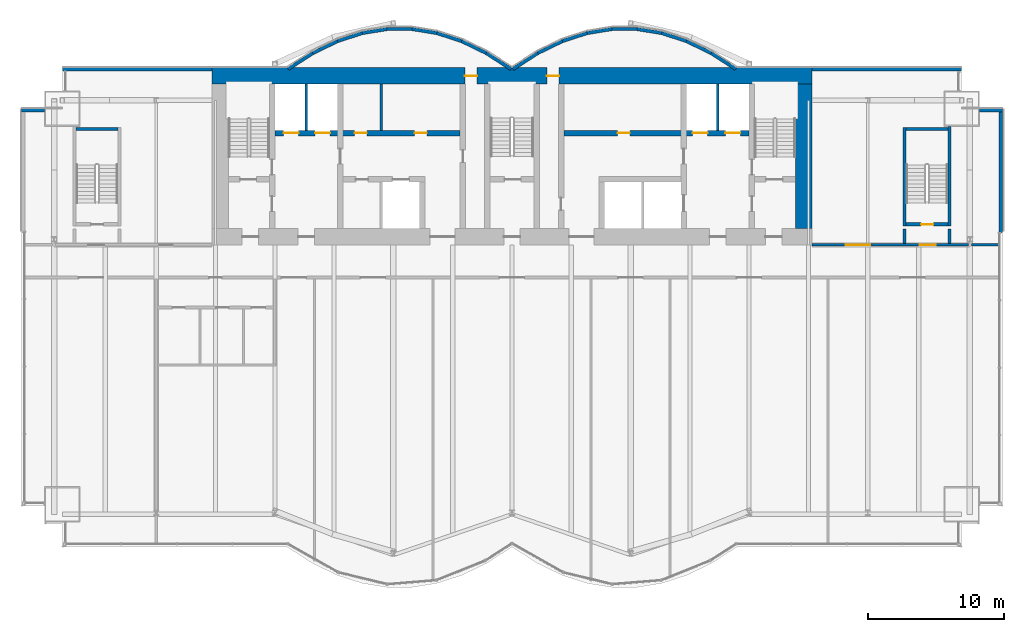
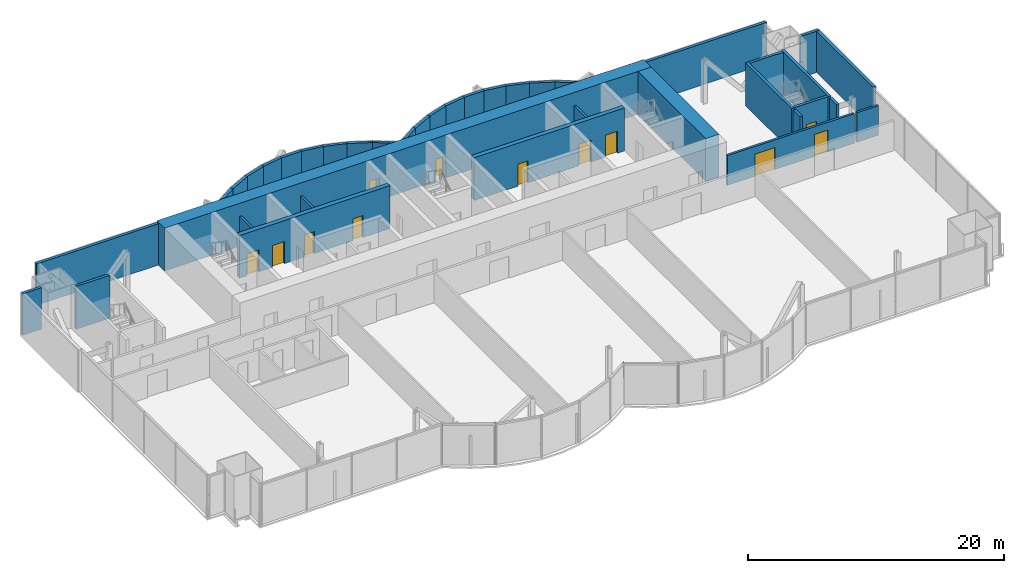
# One storey, part 17 of 21: 39 walls, 12 doors, 12 openings.
"""IFC4 building model written with IfcOpenShell, lengths in metres."""

from ifc_helpers import new_model, si_unit, direction, frame, frame_2d, origin, place, context, subcontext, project, spatial, rectangle, extrude, material, layer, layer_set, layer_usage, type_object, element, fill, save


model = new_model("IFC4")

# Units and contexts
model_context = context("Model", 3, precision=1e-05, world=origin(), true_north=direction((0.0, 1.0)))
body_context = subcontext(model_context, "Body", "Model", "MODEL_VIEW")
ifc_project = project(units=[si_unit("LENGTHUNIT", "METRE"), si_unit("AREAUNIT", "SQUARE_METRE"), si_unit("VOLUMEUNIT", "CUBIC_METRE"), si_unit("PLANEANGLEUNIT", "RADIAN"), si_unit("MASSUNIT", "GRAM", prefix="KILO")], contexts=[model_context])

# Site, building, storey
site_placement = place(None, origin())
site = spatial("IfcSite", under=ifc_project, at=site_placement, CompositionType="ELEMENT")
building_placement = place(site_placement, origin())
building = spatial("IfcBuilding", under=site, at=building_placement, Name="Bicima Exchange Tower", CompositionType="ELEMENT")
storey_placement = place(building_placement, frame((0.0, 0.0, 156.800048828125)))
storey = spatial("IfcBuildingStorey", under=building, at=storey_placement, Name="L34", CompositionType="ELEMENT", Elevation=156.800048828125)

# Walls
ifc_material_1 = material(Name="Gypsum board partition")
ifc_layer_1 = layer(ifc_material_1, 0.199951171875)
ifc_layer_set_1 = layer_set([ifc_layer_1], Name="Gypsum board partition")
wall_type_1 = type_object("IfcWallType", Name="Fire-rated gypsum partition 200 EI120", PredefinedType="PARTITIONING", material=ifc_layer_set_1)
for number, where, z_axis, x_axis, name in (
    (1, (-15.10009765625, -4.60009765625, 0.0), (0.0, 0.0, 1.0), (0.0, 1.0, 0.0), "partition wall 9"),
    (2, (15.10009765625, -4.60009765625, 0.0), (0.0, 0.0, 1.0), (0.0, 1.0, 0.0), "partition wall 21"),
):
    element("IfcWall", number, at=place(storey_placement, frame(where, z_axis=z_axis, x_axis=x_axis)), inside=storey, type_object=wall_type_1, Name=name, PredefinedType="PARTITIONING", context=body_context, shape_type="SweptSolid", body=[
        extrude(rectangle(XDim=3.400146484375, YDim=0.199951171875, at=frame_2d((1.7001953125, 0.0))), origin(), (0.0, 0.0, 1.0), 2.84033203125),
    ])

# Wall, openings, doors
ifc_layer_2 = layer(ifc_material_1, 0.199951171875)
ifc_layer_set_2 = layer_set([ifc_layer_2], Name="Gypsum board partition")
wall_type_2 = type_object("IfcWallType", Name="Fire-rated gypsum partition 200 EI60", PredefinedType="PARTITIONING", material=ifc_layer_set_2)
wall_1_placement = place(storey_placement, frame((22.0, -13.0, 0.0), z_axis=(0.0, 0.0, 1.0), x_axis=(1.0, 0.0, 0.0)))
wall_1 = element("IfcWall", 3, at=wall_1_placement, inside=storey, type_object=wall_type_2, Name="partition wall 6", PredefinedType="PARTITIONING", context=body_context, shape_type="SweptSolid", body=[
    extrude(rectangle(XDim=11.47998046875, YDim=0.199951171875, at=frame_2d((5.739990234375, 0.0))), origin(), (0.0, 0.0, 1.0), 2.84033203125),
])
opening_1_placement = place(wall_1_placement, frame((7.89990234375, 0.0, 0.0)))
opening_1 = element("IfcOpeningElement", 4, at=opening_1_placement, cuts=wall_1, Name="Opening L34-003", PredefinedType="OPENING", context=body_context, shape_type="SweptSolid", body=[
    extrude(rectangle(XDim=1.199951171875, YDim=2.10009765625, at=frame_2d((0.60009765625, 1.050048828125))), frame((0.0, 0.11181640625, 0.0), z_axis=(0.0, -1.0, 0.0), x_axis=(1.0, 0.0, 0.0)), (0.0, 0.0, 1.0), 0.223876953125),
])
opening_2_placement = place(wall_1_placement, frame((2.5, 0.0, 0.0)))
opening_2 = element("IfcOpeningElement", 5, at=opening_2_placement, cuts=wall_1, Name="Opening L34-006", PredefinedType="OPENING", context=body_context, shape_type="SweptSolid", body=[
    extrude(rectangle(XDim=1.800048828125, YDim=2.10009765625, at=frame_2d((0.89990234375, 1.050048828125))), frame((0.0, 0.11181640625, 0.0), z_axis=(0.0, -1.0, 0.0), x_axis=(1.0, 0.0, 0.0)), (0.0, 0.0, 1.0), 0.223876953125),
])
ifc_material_2 = material(Name="Steel fire door leaf", Category="steel")
door_type_1 = type_object("IfcDoorType", Name="Door 1200 swing FD30S", OperationType="SINGLE_SWING_LEFT", PredefinedType="DOOR", material=ifc_material_2)
door_1_placement = place(opening_1_placement, origin())
door_1 = element("IfcDoor", 6, at=door_1_placement, inside=storey, type_object=door_type_1, Name="Door", OperationType="SINGLE_SWING_RIGHT", OverallHeight=2.10009765625, OverallWidth=1.199951171875, PredefinedType="DOOR", context=body_context, shape_type="SweptSolid", body=[
    extrude(rectangle(XDim=1.199951171875, YDim=2.10009765625, at=frame_2d((0.60009765625, 1.050048828125))), frame((0.0, 0.02490234375, 0.0), z_axis=(0.0, -1.0, 0.0), x_axis=(1.0, 0.0, 0.0)), (0.0, 0.0, 1.0), 0.050048828125),
])
fill(opening_1, door_1)
door_type_2 = type_object("IfcDoorType", Name="Door 1800 double swing FD30S", OperationType="DOUBLE_DOOR_SINGLE_SWING", PredefinedType="DOOR", material=ifc_material_2)
door_2_placement = place(opening_2_placement, origin())
door_2 = element("IfcDoor", 7, at=door_2_placement, inside=storey, type_object=door_type_2, Name="Door", OperationType="SINGLE_SWING_LEFT", OverallHeight=2.10009765625, OverallWidth=1.800048828125, PredefinedType="DOOR", context=body_context, shape_type="SweptSolid", body=[
    extrude(rectangle(XDim=1.800048828125, YDim=2.10009765625, at=frame_2d((0.89990234375, 1.050048828125))), frame((0.0, 0.02490234375, 0.0), z_axis=(0.0, -1.0, 0.0), x_axis=(1.0, 0.0, 0.0)), (0.0, 0.0, 1.0), 0.050048828125),
])
fill(opening_2, door_2)

# Walls
wall_2_placement = place(storey_placement, frame((33.719970703125, -13.0, 0.0), z_axis=(0.0, 0.0, 1.0), x_axis=(1.0, 0.0, 0.0)))
element("IfcWall", 8, at=wall_2_placement, inside=storey, type_object=wall_type_2, Name="partition wall 7", PredefinedType="PARTITIONING", context=body_context, shape_type="SweptSolid", body=[
    extrude(rectangle(XDim=1.9599609375, YDim=0.199951171875, at=frame_2d((0.97998046875, 0.0))), origin(), (0.0, 0.0, 1.0), 2.84033203125),
])
wall_3_placement = place(storey_placement, frame((-9.60009765625, -4.60009765625, 0.0), z_axis=(0.0, 0.0, 1.0), x_axis=(0.0, 1.0, 0.0)))
element("IfcWall", 9, at=wall_3_placement, inside=storey, type_object=wall_type_2, Name="partition wall 12", PredefinedType="PARTITIONING", context=body_context, shape_type="SweptSolid", body=[
    extrude(rectangle(XDim=3.400146484375, YDim=0.199951171875, at=frame_2d((1.7001953125, 0.0))), origin(), (0.0, 0.0, 1.0), 2.84033203125),
])

# Wall, openings, doors
ifc_material_3 = material(Name="Concrete C50/60", Category="concrete")
ifc_layer_3 = layer(ifc_material_3, 1.199951171875)
ifc_layer_set_3 = layer_set([ifc_layer_3], Name="Concrete C50/60")
wall_type_3 = type_object("IfcWallType", Name="RC core wall 1200 C50/60", PredefinedType="SHEAR", material=ifc_layer_set_3)
wall_4_placement = place(storey_placement, frame((-22.0, -0.60009765625, 0.0), z_axis=(0.0, 0.0, 1.0), x_axis=(1.0, 0.0, 0.0)))
wall_4 = element("IfcWall", 10, at=wall_4_placement, inside=storey, type_object=wall_type_3, Name="Core wall north", PredefinedType="SHEAR", context=body_context, shape_type="SweptSolid", body=[
    extrude(rectangle(XDim=44.0, YDim=1.199951171875, at=frame_2d((22.0, 0.0))), origin(), (0.0, 0.0, 1.0), 4.099853515625),
])
opening_3_placement = place(wall_4_placement, frame((18.550048828125, 0.0, 0.0)))
opening_3 = element("IfcOpeningElement", 11, at=opening_3_placement, cuts=wall_4, Name="Opening L34-C16", PredefinedType="OPENING", context=body_context, shape_type="SweptSolid", body=[
    extrude(rectangle(XDim=0.89990234375, YDim=2.10009765625, at=frame_2d((0.449951171875, 1.050048828125))), frame((0.0, 0.61181640625, 0.0), z_axis=(0.0, -1.0, 0.0), x_axis=(1.0, 0.0, 0.0)), (0.0, 0.0, 1.0), 1.223876953125),
])
opening_4_placement = place(wall_4_placement, frame((24.550048828125, 0.0, 0.0)))
opening_4 = element("IfcOpeningElement", 12, at=opening_4_placement, cuts=wall_4, Name="Opening L34-C17", PredefinedType="OPENING", context=body_context, shape_type="SweptSolid", body=[
    extrude(rectangle(XDim=0.89990234375, YDim=2.10009765625, at=frame_2d((0.449951171875, 1.050048828125))), frame((0.0, 0.61181640625, 0.0), z_axis=(0.0, -1.0, 0.0), x_axis=(1.0, 0.0, 0.0)), (0.0, 0.0, 1.0), 1.223876953125),
])
door_type_3 = type_object("IfcDoorType", Name="Door 900 swing FD30S", OperationType="SINGLE_SWING_LEFT", PredefinedType="DOOR", material=ifc_material_2)
door_3_placement = place(opening_3_placement, origin())
door_3 = element("IfcDoor", 13, at=door_3_placement, inside=storey, type_object=door_type_3, Name="Core door", OperationType="SINGLE_SWING_LEFT", OverallHeight=2.10009765625, OverallWidth=0.89990234375, PredefinedType="DOOR", context=body_context, shape_type="SweptSolid", body=[
    extrude(rectangle(XDim=0.89990234375, YDim=2.10009765625, at=frame_2d((0.449951171875, 1.050048828125))), frame((0.0, 0.02490234375, 0.0), z_axis=(0.0, -1.0, 0.0), x_axis=(1.0, 0.0, 0.0)), (0.0, 0.0, 1.0), 0.050048828125),
])
fill(opening_3, door_3)
door_4_placement = place(opening_4_placement, origin())
door_4 = element("IfcDoor", 14, at=door_4_placement, inside=storey, type_object=door_type_3, Name="Core door", OperationType="SINGLE_SWING_LEFT", OverallHeight=2.10009765625, OverallWidth=0.89990234375, PredefinedType="DOOR", context=body_context, shape_type="SweptSolid", body=[
    extrude(rectangle(XDim=0.89990234375, YDim=2.10009765625, at=frame_2d((0.449951171875, 1.050048828125))), frame((0.0, 0.02490234375, 0.0), z_axis=(0.0, -1.0, 0.0), x_axis=(1.0, 0.0, 0.0)), (0.0, 0.0, 1.0), 0.050048828125),
])
fill(opening_4, door_4)

# Walls
wall_5_placement = place(storey_placement, frame((21.39990234375, -11.800048828125, 0.0), z_axis=(0.0, 0.0, 1.0), x_axis=(0.0, 1.0, 0.0)))
element("IfcWall", 15, at=wall_5_placement, inside=storey, type_object=wall_type_3, Name="Core wall east", PredefinedType="SHEAR", context=body_context, shape_type="SweptSolid", body=[
    extrude(rectangle(XDim=10.60009765625, YDim=1.199951171875, at=frame_2d((5.300048828125, 0.0))), origin(), (0.0, 0.0, 1.0), 4.099853515625),
])
ifc_layer_4 = layer(ifc_material_3, 0.25)
ifc_layer_set_4 = layer_set([ifc_layer_4], Name="Concrete C50/60")
wall_type_4 = type_object("IfcWallType", Name="RC core wall 250 C50/60", PredefinedType="SHEAR", material=ifc_layer_set_4)
for number, where, z_axis, x_axis, name in (
    (16, (28.800048828125, -12.89990234375, 0.0), (0.0, 0.0, 1.0), (0.0, 1.0, 0.0), "stair wall 25"),
    (17, (32.10009765625, -12.89990234375, 0.0), (0.0, 0.0, 1.0), (0.0, 1.0, 0.0), "stair wall 26"),
):
    element("IfcWall", number, at=place(storey_placement, frame(where, z_axis=z_axis, x_axis=x_axis)), inside=storey, type_object=wall_type_4, Name=name, PredefinedType="SHEAR", context=body_context, shape_type="SweptSolid", body=[
        extrude(rectangle(XDim=1.0498046875, YDim=0.25, at=frame_2d((0.52490234375, 0.0))), origin(), (0.0, 0.0, 1.0), 4.099853515625),
    ])

# Wall, openings, doors
ifc_layer_5 = layer(ifc_material_3, 0.39990234375)
ifc_layer_set_5 = layer_set([ifc_layer_5], Name="Concrete C50/60")
wall_type_5 = type_object("IfcWallType", Name="RC core wall 400 C50/60", PredefinedType="SHEAR", material=ifc_layer_set_5)
wall_6_placement = place(storey_placement, frame((-17.39990234375, -4.800048828125, 0.0), z_axis=(0.0, 0.0, 1.0), x_axis=(1.0, 0.0, 0.0)))
wall_6 = element("IfcWall", 18, at=wall_6_placement, inside=storey, type_object=wall_type_5, Name="shear wall 6", PredefinedType="SHEAR", context=body_context, shape_type="SweptSolid", body=[
    extrude(rectangle(XDim=13.599853515625, YDim=0.39990234375, at=frame_2d((6.7998046875, 0.0))), origin(), (0.0, 0.0, 1.0), 4.099853515625),
])
opening_5_placement = place(wall_6_placement, frame((0.64990234375, 0.0, 0.0)))
opening_5 = element("IfcOpeningElement", 19, at=opening_5_placement, cuts=wall_6, Name="Opening LD-FF1-L34", PredefinedType="OPENING", context=body_context, shape_type="SweptSolid", body=[
    extrude(rectangle(XDim=1.10009765625, YDim=2.10009765625, at=frame_2d((0.550048828125, 1.050048828125))), frame((0.0, 0.2119140625, 0.0), z_axis=(0.0, -1.0, 0.0), x_axis=(1.0, 0.0, 0.0)), (0.0, 0.0, 1.0), 0.423828125),
])
opening_6_placement = place(wall_6_placement, frame((2.949951171875, 0.0, 0.0)))
opening_6 = element("IfcOpeningElement", 20, at=opening_6_placement, cuts=wall_6, Name="Opening LD-FF3-L34", PredefinedType="OPENING", context=body_context, shape_type="SweptSolid", body=[
    extrude(rectangle(XDim=1.10009765625, YDim=2.10009765625, at=frame_2d((0.550048828125, 1.050048828125))), frame((0.0, 0.2119140625, 0.0), z_axis=(0.0, -1.0, 0.0), x_axis=(1.0, 0.0, 0.0)), (0.0, 0.0, 1.0), 0.423828125),
])
opening_7_placement = place(wall_6_placement, frame((5.85009765625, 0.0, 0.0)))
opening_7 = element("IfcOpeningElement", 21, at=opening_7_placement, cuts=wall_6, Name="Opening L34-C12", PredefinedType="OPENING", context=body_context, shape_type="SweptSolid", body=[
    extrude(rectangle(XDim=0.89990234375, YDim=2.10009765625, at=frame_2d((0.449951171875, 1.050048828125))), frame((0.0, 0.2119140625, 0.0), z_axis=(0.0, -1.0, 0.0), x_axis=(1.0, 0.0, 0.0)), (0.0, 0.0, 1.0), 0.423828125),
])
opening_8_placement = place(wall_6_placement, frame((10.25, 0.0, 0.0)))
opening_8 = element("IfcOpeningElement", 22, at=opening_8_placement, cuts=wall_6, Name="Opening L34-C13", PredefinedType="OPENING", context=body_context, shape_type="SweptSolid", body=[
    extrude(rectangle(XDim=0.89990234375, YDim=2.10009765625, at=frame_2d((0.449951171875, 1.050048828125))), frame((0.0, 0.2119140625, 0.0), z_axis=(0.0, -1.0, 0.0), x_axis=(1.0, 0.0, 0.0)), (0.0, 0.0, 1.0), 0.423828125),
])
door_5_placement = place(opening_7_placement, origin())
door_5 = element("IfcDoor", 23, at=door_5_placement, inside=storey, type_object=door_type_3, Name="Core door", OperationType="SINGLE_SWING_RIGHT", OverallHeight=2.10009765625, OverallWidth=0.89990234375, PredefinedType="DOOR", context=body_context, shape_type="SweptSolid", body=[
    extrude(rectangle(XDim=0.89990234375, YDim=2.10009765625, at=frame_2d((0.449951171875, 1.050048828125))), frame((0.0, 0.02490234375, 0.0), z_axis=(0.0, -1.0, 0.0), x_axis=(1.0, 0.0, 0.0)), (0.0, 0.0, 1.0), 0.050048828125),
])
fill(opening_7, door_5)
door_6_placement = place(opening_8_placement, origin())
door_6 = element("IfcDoor", 24, at=door_6_placement, inside=storey, type_object=door_type_3, Name="Core door", OperationType="SINGLE_SWING_LEFT", OverallHeight=2.10009765625, OverallWidth=0.89990234375, PredefinedType="DOOR", context=body_context, shape_type="SweptSolid", body=[
    extrude(rectangle(XDim=0.89990234375, YDim=2.10009765625, at=frame_2d((0.449951171875, 1.050048828125))), frame((0.0, 0.02490234375, 0.0), z_axis=(0.0, -1.0, 0.0), x_axis=(1.0, 0.0, 0.0)), (0.0, 0.0, 1.0), 0.050048828125),
])
fill(opening_8, door_6)
ifc_material_4 = material(Name="Stainless steel", Category="steel")
door_type_4 = type_object("IfcDoorType", Name="Lift landing door 1100 sliding", OperationType="DOUBLE_DOOR_SLIDING", PredefinedType="DOOR", material=ifc_material_4)
door_7_placement = place(opening_5_placement, origin())
door_7 = element("IfcDoor", 25, at=door_7_placement, inside=storey, type_object=door_type_4, Name="Lift landing door FF1", OperationType="DOUBLE_DOOR_SLIDING", OverallHeight=2.10009765625, OverallWidth=1.10009765625, PredefinedType="DOOR", context=body_context, shape_type="SweptSolid", body=[
    extrude(rectangle(XDim=1.10009765625, YDim=2.10009765625, at=frame_2d((0.550048828125, 1.050048828125))), frame((0.0, 0.02490234375, 0.0), z_axis=(0.0, -1.0, 0.0), x_axis=(1.0, 0.0, 0.0)), (0.0, 0.0, 1.0), 0.050048828125),
])
fill(opening_5, door_7)
door_8_placement = place(opening_6_placement, origin())
door_8 = element("IfcDoor", 26, at=door_8_placement, inside=storey, type_object=door_type_4, Name="Lift landing door FF3", OperationType="DOUBLE_DOOR_SLIDING", OverallHeight=2.10009765625, OverallWidth=1.10009765625, PredefinedType="DOOR", context=body_context, shape_type="SweptSolid", body=[
    extrude(rectangle(XDim=1.10009765625, YDim=2.10009765625, at=frame_2d((0.550048828125, 1.050048828125))), frame((0.0, 0.02490234375, 0.0), z_axis=(0.0, -1.0, 0.0), x_axis=(1.0, 0.0, 0.0)), (0.0, 0.0, 1.0), 0.050048828125),
])
fill(opening_6, door_8)

wall_7_placement = place(storey_placement, frame((3.800048828125, -4.800048828125, 0.0), z_axis=(0.0, 0.0, 1.0), x_axis=(1.0, 0.0, 0.0)))
wall_7 = element("IfcWall", 27, at=wall_7_placement, inside=storey, type_object=wall_type_5, Name="shear wall 7", PredefinedType="SHEAR", context=body_context, shape_type="SweptSolid", body=[
    extrude(rectangle(XDim=13.599853515625, YDim=0.39990234375, at=frame_2d((6.7998046875, 0.0))), origin(), (0.0, 0.0, 1.0), 4.099853515625),
])
opening_9_placement = place(wall_7_placement, frame((9.449951171875, 0.0, 0.0)))
opening_9 = element("IfcOpeningElement", 28, at=opening_9_placement, cuts=wall_7, Name="Opening LD-FF2-L34", PredefinedType="OPENING", context=body_context, shape_type="SweptSolid", body=[
    extrude(rectangle(XDim=1.10009765625, YDim=2.10009765625, at=frame_2d((0.550048828125, 1.050048828125))), frame((0.0, 0.2119140625, 0.0), z_axis=(0.0, -1.0, 0.0), x_axis=(1.0, 0.0, 0.0)), (0.0, 0.0, 1.0), 0.423828125),
])
opening_10_placement = place(wall_7_placement, frame((11.85009765625, 0.0, 0.0)))
opening_10 = element("IfcOpeningElement", 29, at=opening_10_placement, cuts=wall_7, Name="Opening LD-SV1-L34", PredefinedType="OPENING", context=body_context, shape_type="SweptSolid", body=[
    extrude(rectangle(XDim=1.10009765625, YDim=2.10009765625, at=frame_2d((0.550048828125, 1.050048828125))), frame((0.0, 0.2119140625, 0.0), z_axis=(0.0, -1.0, 0.0), x_axis=(1.0, 0.0, 0.0)), (0.0, 0.0, 1.0), 0.423828125),
])
opening_11_placement = place(wall_7_placement, frame((3.949951171875, 0.0, 0.0)))
opening_11 = element("IfcOpeningElement", 30, at=opening_11_placement, cuts=wall_7, Name="Opening L34-C14", PredefinedType="OPENING", context=body_context, shape_type="SweptSolid", body=[
    extrude(rectangle(XDim=0.89990234375, YDim=2.10009765625, at=frame_2d((0.449951171875, 1.050048828125))), frame((0.0, 0.2119140625, 0.0), z_axis=(0.0, -1.0, 0.0), x_axis=(1.0, 0.0, 0.0)), (0.0, 0.0, 1.0), 0.423828125),
])
door_9_placement = place(opening_11_placement, origin())
door_9 = element("IfcDoor", 31, at=door_9_placement, inside=storey, type_object=door_type_3, Name="Core door", OperationType="SINGLE_SWING_RIGHT", OverallHeight=2.10009765625, OverallWidth=0.89990234375, PredefinedType="DOOR", context=body_context, shape_type="SweptSolid", body=[
    extrude(rectangle(XDim=0.89990234375, YDim=2.10009765625, at=frame_2d((0.449951171875, 1.050048828125))), frame((0.0, 0.02490234375, 0.0), z_axis=(0.0, -1.0, 0.0), x_axis=(1.0, 0.0, 0.0)), (0.0, 0.0, 1.0), 0.050048828125),
])
fill(opening_11, door_9)
door_10_placement = place(opening_9_placement, origin())
door_10 = element("IfcDoor", 32, at=door_10_placement, inside=storey, type_object=door_type_4, Name="Lift landing door FF2", OperationType="DOUBLE_DOOR_SLIDING", OverallHeight=2.10009765625, OverallWidth=1.10009765625, PredefinedType="DOOR", context=body_context, shape_type="SweptSolid", body=[
    extrude(rectangle(XDim=1.10009765625, YDim=2.10009765625, at=frame_2d((0.550048828125, 1.050048828125))), frame((0.0, 0.02490234375, 0.0), z_axis=(0.0, -1.0, 0.0), x_axis=(1.0, 0.0, 0.0)), (0.0, 0.0, 1.0), 0.050048828125),
])
fill(opening_9, door_10)
door_11_placement = place(opening_10_placement, origin())
door_11 = element("IfcDoor", 33, at=door_11_placement, inside=storey, type_object=door_type_4, Name="Lift landing door SV1", OperationType="DOUBLE_DOOR_SLIDING", OverallHeight=2.10009765625, OverallWidth=1.10009765625, PredefinedType="DOOR", context=body_context, shape_type="SweptSolid", body=[
    extrude(rectangle(XDim=1.10009765625, YDim=2.10009765625, at=frame_2d((0.550048828125, 1.050048828125))), frame((0.0, 0.02490234375, 0.0), z_axis=(0.0, -1.0, 0.0), x_axis=(1.0, 0.0, 0.0)), (0.0, 0.0, 1.0), 0.050048828125),
])
fill(opening_10, door_11)

# Walls
ifc_layer_6 = layer(ifc_material_3, 0.25)
ifc_layer_set_6 = layer_set([ifc_layer_6], Name="Concrete C50/60")
wall_type_6 = type_object("IfcWallType", Name="RC stair enclosure wall 250 C50/60", PredefinedType="SHEAR", material=ifc_layer_set_6)
wall_8_placement = place(storey_placement, frame((-31.97509765625, -4.5, 0.0), z_axis=(0.0, 0.0, 1.0), x_axis=(1.0, 0.0, 0.0)))
element("IfcWall", 34, at=wall_8_placement, inside=storey, type_object=wall_type_6, Name="West end exit stair wall N", PredefinedType="SHEAR", context=body_context, shape_type="SweptSolid", body=[
    extrude(rectangle(XDim=3.050048828125, YDim=0.25, at=frame_2d((1.52490234375, 0.0))), origin(), (0.0, 0.0, 1.0), 4.099853515625),
])
wall_9_placement = place(storey_placement, frame((28.800048828125, -11.625, 0.0), z_axis=(0.0, 0.0, 1.0), x_axis=(0.0, 1.0, 0.0)))
element("IfcWall", 35, at=wall_9_placement, inside=storey, type_object=wall_type_6, Name="East end exit stair wall W", PredefinedType="SHEAR", context=body_context, shape_type="SweptSolid", body=[
    extrude(rectangle(XDim=7.25, YDim=0.25, at=frame_2d((3.625, 0.0))), origin(), (0.0, 0.0, 1.0), 4.099853515625),
])
wall_10_placement = place(storey_placement, frame((32.10009765625, -11.625, 0.0), z_axis=(0.0, 0.0, 1.0), x_axis=(0.0, 1.0, 0.0)))
element("IfcWall", 36, at=wall_10_placement, inside=storey, type_object=wall_type_6, Name="East end exit stair wall E", PredefinedType="SHEAR", context=body_context, shape_type="SweptSolid", body=[
    extrude(rectangle(XDim=7.324951171875, YDim=0.25, at=frame_2d((3.66259765625, 0.0))), origin(), (0.0, 0.0, 1.0), 4.099853515625),
])

# Wall, opening, door
wall_11_placement = place(storey_placement, frame((28.925048828125, -11.5, 0.0), z_axis=(0.0, 0.0, 1.0), x_axis=(1.0, 0.0, 0.0)))
wall_11 = element("IfcWall", 37, at=wall_11_placement, inside=storey, type_object=wall_type_6, Name="East end exit stair wall S", PredefinedType="SHEAR", context=body_context, shape_type="SweptSolid", body=[
    extrude(rectangle(XDim=3.050048828125, YDim=0.25, at=frame_2d((1.52490234375, 0.0))), origin(), (0.0, 0.0, 1.0), 4.099853515625),
])
opening_12_placement = place(wall_11_placement, frame((1.10009765625, 0.0, 0.0)))
opening_12 = element("IfcOpeningElement", 38, at=opening_12_placement, cuts=wall_11, Name="Opening L34-004", PredefinedType="OPENING", context=body_context, shape_type="SweptSolid", body=[
    extrude(rectangle(XDim=0.89990234375, YDim=2.10009765625, at=frame_2d((0.449951171875, 1.050048828125))), frame((0.0, 0.136962890625, 0.0), z_axis=(0.0, -1.0, 0.0), x_axis=(1.0, 0.0, 0.0)), (0.0, 0.0, 1.0), 0.27392578125),
])
door_type_5 = type_object("IfcDoorType", Name="Door 900 swing FD60S", OperationType="SINGLE_SWING_LEFT", PredefinedType="DOOR", material=ifc_material_2)
door_12_placement = place(opening_12_placement, origin())
door_12 = element("IfcDoor", 39, at=door_12_placement, inside=storey, type_object=door_type_5, Name="Door", OperationType="SINGLE_SWING_LEFT", OverallHeight=2.10009765625, OverallWidth=0.89990234375, PredefinedType="DOOR", context=body_context, shape_type="SweptSolid", body=[
    extrude(rectangle(XDim=0.89990234375, YDim=2.10009765625, at=frame_2d((0.449951171875, 1.050048828125))), frame((0.0, 0.02490234375, 0.0), z_axis=(0.0, -1.0, 0.0), x_axis=(1.0, 0.0, 0.0)), (0.0, 0.0, 1.0), 0.050048828125),
])
fill(opening_12, door_12)

# Walls
wall_12_placement = place(storey_placement, frame((28.925048828125, -4.5, 0.0), z_axis=(0.0, 0.0, 1.0), x_axis=(1.0, 0.0, 0.0)))
element("IfcWall", 40, at=wall_12_placement, inside=storey, type_object=wall_type_6, Name="East end exit stair wall N", PredefinedType="SHEAR", context=body_context, shape_type="SweptSolid", body=[
    extrude(rectangle(XDim=3.050048828125, YDim=0.25, at=frame_2d((1.52490234375, 0.0))), origin(), (0.0, 0.0, 1.0), 4.099853515625),
])
ifc_material_5 = material(Name="Concrete C40/50", Category="concrete")
ifc_layer_7 = layer(ifc_material_5, 0.25)
ifc_layer_set_7 = layer_set([ifc_layer_7], Name="Concrete C40/50")
ifc_layer_usage = layer_usage(ifc_layer_set_7, "AXIS2", "POSITIVE", -0.125)
wall_type_7 = type_object("IfcWallType", Name="Rear backup wall 250", PredefinedType="STANDARD", material=ifc_layer_set_7)
wall_13_placement = place(storey_placement, frame((33.0, -0.125, 0.0), z_axis=(0.0, 0.0, 1.0), x_axis=(-1.0, 0.0, 0.0)))
element("IfcWall", 41, at=wall_13_placement, inside=storey, type_object=wall_type_7, material=ifc_layer_usage, Name="Rear backup wall L34 1", PredefinedType="STANDARD", context=body_context, shape_type="SweptSolid", body=[
    extrude(rectangle(XDim=11.0, YDim=0.25, at=frame_2d((5.5, 0.0))), origin(), (0.0, 0.0, 1.0), 3.949951171875),
])
wall_14_placement = place(storey_placement, frame((16.43212890625, -0.10498046875, 0.0), z_axis=(0.0, 0.0, 1.0), x_axis=(-0.83981312244, 0.542875602121, 0.0)))
element("IfcWall", 42, at=wall_14_placement, inside=storey, type_object=wall_type_7, material=ifc_layer_usage, Name="Rear backup wall L34 2", PredefinedType="STANDARD", context=body_context, shape_type="SweptSolid", body=[
    extrude(rectangle(XDim=2.182861328125, YDim=0.25, at=frame_2d((1.09130859375, 0.0))), origin(), (0.0, 0.0, 1.0), 3.949951171875),
])
wall_15_placement = place(storey_placement, frame((14.6123046875, 1.07275390625, 0.0), z_axis=(0.0, 0.0, 1.0), x_axis=(-0.89982408427, 0.436252928206, 0.0)))
element("IfcWall", 43, at=wall_15_placement, inside=storey, type_object=wall_type_7, material=ifc_layer_usage, Name="Rear backup wall L34 3", PredefinedType="STANDARD", context=body_context, shape_type="SweptSolid", body=[
    extrude(rectangle(XDim=2.03759765625, YDim=0.25, at=frame_2d((1.018798828125, 0.0))), origin(), (0.0, 0.0, 1.0), 3.949951171875),
])
wall_16_placement = place(storey_placement, frame((12.794921875, 1.955078125, 0.0), z_axis=(0.0, 0.0, 1.0), x_axis=(-0.951495806175, 0.307661714928, 0.0)))
element("IfcWall", 44, at=wall_16_placement, inside=storey, type_object=wall_type_7, material=ifc_layer_usage, Name="Rear backup wall L34 4", PredefinedType="STANDARD", context=body_context, shape_type="SweptSolid", body=[
    extrude(rectangle(XDim=1.9267578125, YDim=0.25, at=frame_2d((0.96337890625, 0.0))), origin(), (0.0, 0.0, 1.0), 3.949951171875),
])
wall_17_placement = place(storey_placement, frame((10.97998046875, 2.543212890625, 0.0), z_axis=(0.0, 0.0, 1.0), x_axis=(-0.987181718931, 0.159600293885, 0.0)))
element("IfcWall", 45, at=wall_17_placement, inside=storey, type_object=wall_type_7, material=ifc_layer_usage, Name="Rear backup wall L34 5", PredefinedType="STANDARD", context=body_context, shape_type="SweptSolid", body=[
    extrude(rectangle(XDim=1.857177734375, YDim=0.25, at=frame_2d((0.9287109375, 0.0))), origin(), (0.0, 0.0, 1.0), 3.949951171875),
])
wall_18_placement = place(storey_placement, frame((9.166748046875, 2.837890625, 0.0), z_axis=(0.0, 0.0, 1.0), x_axis=(-1.0, 0.0, 0.0)))
element("IfcWall", 46, at=wall_18_placement, inside=storey, type_object=wall_type_7, material=ifc_layer_usage, Name="Rear backup wall L34 6", PredefinedType="STANDARD", context=body_context, shape_type="SweptSolid", body=[
    extrude(rectangle(XDim=1.83349609375, YDim=0.25, at=frame_2d((0.916748046875, 0.0))), origin(), (0.0, 0.0, 1.0), 3.949951171875),
])
wall_19_placement = place(storey_placement, frame((7.353271484375, 2.839599609375, 0.0), z_axis=(0.0, 0.0, 1.0), x_axis=(-0.987181718931, -0.159600293885, 0.0)))
element("IfcWall", 47, at=wall_19_placement, inside=storey, type_object=wall_type_7, material=ifc_layer_usage, Name="Rear backup wall L34 7", PredefinedType="STANDARD", context=body_context, shape_type="SweptSolid", body=[
    extrude(rectangle(XDim=1.857177734375, YDim=0.25, at=frame_2d((0.9287109375, 0.0))), origin(), (0.0, 0.0, 1.0), 3.949951171875),
])
wall_20_placement = place(storey_placement, frame((5.538330078125, 2.5478515625, 0.0), z_axis=(0.0, 0.0, 1.0), x_axis=(-0.951495806175, -0.307661714928, 0.0)))
element("IfcWall", 48, at=wall_20_placement, inside=storey, type_object=wall_type_7, material=ifc_layer_usage, Name="Rear backup wall L34 8", PredefinedType="STANDARD", context=body_context, shape_type="SweptSolid", body=[
    extrude(rectangle(XDim=1.9267578125, YDim=0.25, at=frame_2d((0.96337890625, 0.0))), origin(), (0.0, 0.0, 1.0), 3.949951171875),
])
wall_21_placement = place(storey_placement, frame((3.72119140625, 1.961669921875, 0.0), z_axis=(0.0, 0.0, 1.0), x_axis=(-0.89982408427, -0.436252928206, 0.0)))
element("IfcWall", 49, at=wall_21_placement, inside=storey, type_object=wall_type_7, material=ifc_layer_usage, Name="Rear backup wall L34 9", PredefinedType="STANDARD", context=body_context, shape_type="SweptSolid", body=[
    extrude(rectangle(XDim=2.03759765625, YDim=0.25, at=frame_2d((1.018798828125, 0.0))), origin(), (0.0, 0.0, 1.0), 3.949951171875),
])
for number, where, z_axis, x_axis, name in (
    (50, (1.901123046875, 1.080078125, 0.0), (0.0, 0.0, 1.0), (-0.83981312244, -0.542875602121, 0.0), "Rear backup wall L34 10"),
    (51, (-0.06787109375, -0.10498046875, 0.0), (0.0, 0.0, 1.0), (-0.83981312244, 0.542875602121, 0.0), "Rear backup wall L34 11"),
):
    element("IfcWall", number, at=place(storey_placement, frame(where, z_axis=z_axis, x_axis=x_axis)), inside=storey, type_object=wall_type_7, material=ifc_layer_usage, Name=name, PredefinedType="STANDARD", context=body_context, shape_type="SweptSolid", body=[
        extrude(rectangle(XDim=2.182861328125, YDim=0.25, at=frame_2d((1.09130859375, 0.0))), origin(), (0.0, 0.0, 1.0), 3.949951171875),
    ])
wall_22_placement = place(storey_placement, frame((-1.8876953125, 1.07275390625, 0.0), z_axis=(0.0, 0.0, 1.0), x_axis=(-0.89982408427, 0.436252928206, 0.0)))
element("IfcWall", 52, at=wall_22_placement, inside=storey, type_object=wall_type_7, material=ifc_layer_usage, Name="Rear backup wall L34 12", PredefinedType="STANDARD", context=body_context, shape_type="SweptSolid", body=[
    extrude(rectangle(XDim=2.03759765625, YDim=0.25, at=frame_2d((1.018798828125, 0.0))), origin(), (0.0, 0.0, 1.0), 3.949951171875),
])
wall_23_placement = place(storey_placement, frame((-3.705078125, 1.955078125, 0.0), z_axis=(0.0, 0.0, 1.0), x_axis=(-0.951495806175, 0.307661714928, 0.0)))
element("IfcWall", 53, at=wall_23_placement, inside=storey, type_object=wall_type_7, material=ifc_layer_usage, Name="Rear backup wall L34 13", PredefinedType="STANDARD", context=body_context, shape_type="SweptSolid", body=[
    extrude(rectangle(XDim=1.9267578125, YDim=0.25, at=frame_2d((0.96337890625, 0.0))), origin(), (0.0, 0.0, 1.0), 3.949951171875),
])
wall_24_placement = place(storey_placement, frame((-5.52001953125, 2.543212890625, 0.0), z_axis=(0.0, 0.0, 1.0), x_axis=(-0.987181718931, 0.159600293885, 0.0)))
element("IfcWall", 54, at=wall_24_placement, inside=storey, type_object=wall_type_7, material=ifc_layer_usage, Name="Rear backup wall L34 14", PredefinedType="STANDARD", context=body_context, shape_type="SweptSolid", body=[
    extrude(rectangle(XDim=1.857177734375, YDim=0.25, at=frame_2d((0.9287109375, 0.0))), origin(), (0.0, 0.0, 1.0), 3.949951171875),
])
wall_25_placement = place(storey_placement, frame((-7.333251953125, 2.837890625, 0.0), z_axis=(0.0, 0.0, 1.0), x_axis=(-1.0, 0.0, 0.0)))
element("IfcWall", 55, at=wall_25_placement, inside=storey, type_object=wall_type_7, material=ifc_layer_usage, Name="Rear backup wall L34 15", PredefinedType="STANDARD", context=body_context, shape_type="SweptSolid", body=[
    extrude(rectangle(XDim=1.83349609375, YDim=0.25, at=frame_2d((0.916748046875, 0.0))), origin(), (0.0, 0.0, 1.0), 3.949951171875),
])
wall_26_placement = place(storey_placement, frame((-9.146728515625, 2.839599609375, 0.0), z_axis=(0.0, 0.0, 1.0), x_axis=(-0.987181718931, -0.159600293885, 0.0)))
element("IfcWall", 56, at=wall_26_placement, inside=storey, type_object=wall_type_7, material=ifc_layer_usage, Name="Rear backup wall L34 16", PredefinedType="STANDARD", context=body_context, shape_type="SweptSolid", body=[
    extrude(rectangle(XDim=1.857177734375, YDim=0.25, at=frame_2d((0.9287109375, 0.0))), origin(), (0.0, 0.0, 1.0), 3.949951171875),
])
wall_27_placement = place(storey_placement, frame((-10.961669921875, 2.5478515625, 0.0), z_axis=(0.0, 0.0, 1.0), x_axis=(-0.951495806175, -0.307661714928, 0.0)))
element("IfcWall", 57, at=wall_27_placement, inside=storey, type_object=wall_type_7, material=ifc_layer_usage, Name="Rear backup wall L34 17", PredefinedType="STANDARD", context=body_context, shape_type="SweptSolid", body=[
    extrude(rectangle(XDim=1.9267578125, YDim=0.25, at=frame_2d((0.96337890625, 0.0))), origin(), (0.0, 0.0, 1.0), 3.949951171875),
])
wall_28_placement = place(storey_placement, frame((-12.77880859375, 1.961669921875, 0.0), z_axis=(0.0, 0.0, 1.0), x_axis=(-0.89982408427, -0.436252928206, 0.0)))
element("IfcWall", 58, at=wall_28_placement, inside=storey, type_object=wall_type_7, material=ifc_layer_usage, Name="Rear backup wall L34 18", PredefinedType="STANDARD", context=body_context, shape_type="SweptSolid", body=[
    extrude(rectangle(XDim=2.03759765625, YDim=0.25, at=frame_2d((1.018798828125, 0.0))), origin(), (0.0, 0.0, 1.0), 3.949951171875),
])
wall_29_placement = place(storey_placement, frame((-14.598876953125, 1.080078125, 0.0), z_axis=(0.0, 0.0, 1.0), x_axis=(-0.83981312244, -0.542875602121, 0.0)))
element("IfcWall", 59, at=wall_29_placement, inside=storey, type_object=wall_type_7, material=ifc_layer_usage, Name="Rear backup wall L34 19", PredefinedType="STANDARD", context=body_context, shape_type="SweptSolid", body=[
    extrude(rectangle(XDim=2.182861328125, YDim=0.25, at=frame_2d((1.09130859375, 0.0))), origin(), (0.0, 0.0, 1.0), 3.949951171875),
])
wall_30_placement = place(storey_placement, frame((-22.0, -0.125, 0.0), z_axis=(0.0, 0.0, 1.0), x_axis=(-1.0, 0.0, 0.0)))
element("IfcWall", 60, at=wall_30_placement, inside=storey, type_object=wall_type_7, material=ifc_layer_usage, Name="Rear backup wall L34 20", PredefinedType="STANDARD", context=body_context, shape_type="SweptSolid", body=[
    extrude(rectangle(XDim=11.0, YDim=0.25, at=frame_2d((5.5, 0.0))), origin(), (0.0, 0.0, 1.0), 3.949951171875),
])
wall_31_placement = place(storey_placement, frame((-34.300048828125, -3.125, 0.0), z_axis=(0.0, 0.0, 1.0), x_axis=(-1.0, 0.0, 0.0)))
element("IfcWall", 61, at=wall_31_placement, inside=storey, type_object=wall_type_7, material=ifc_layer_usage, Name="Rear backup wall L34 22", PredefinedType="STANDARD", context=body_context, shape_type="SweptSolid", body=[
    extrude(rectangle(XDim=1.699951171875, YDim=0.25, at=frame_2d((0.85009765625, 0.0))), origin(), (0.0, 0.0, 1.0), 3.949951171875),
])
wall_32_placement = place(storey_placement, frame((35.875, -12.090087890625, 0.0), z_axis=(0.0, 0.0, 1.0), x_axis=(0.0, 1.0, 0.0)))
element("IfcWall", 62, at=wall_32_placement, inside=storey, type_object=wall_type_7, material=ifc_layer_usage, Name="Rear backup wall L34 50", PredefinedType="STANDARD", context=body_context, shape_type="SweptSolid", body=[
    extrude(rectangle(XDim=9.090087890625, YDim=0.25, at=frame_2d((4.544921875, 0.0))), origin(), (0.0, 0.0, 1.0), 3.949951171875),
])
wall_33_placement = place(storey_placement, frame((36.0, -3.125, 0.0), z_axis=(0.0, 0.0, 1.0), x_axis=(-1.0, 0.0, 0.0)))
element("IfcWall", 63, at=wall_33_placement, inside=storey, type_object=wall_type_7, material=ifc_layer_usage, Name="Rear backup wall L34 51", PredefinedType="STANDARD", context=body_context, shape_type="SweptSolid", body=[
    extrude(rectangle(XDim=1.699951171875, YDim=0.25, at=frame_2d((0.85009765625, 0.0))), origin(), (0.0, 0.0, 1.0), 3.949951171875),
])

save(model, "model.ifc")
